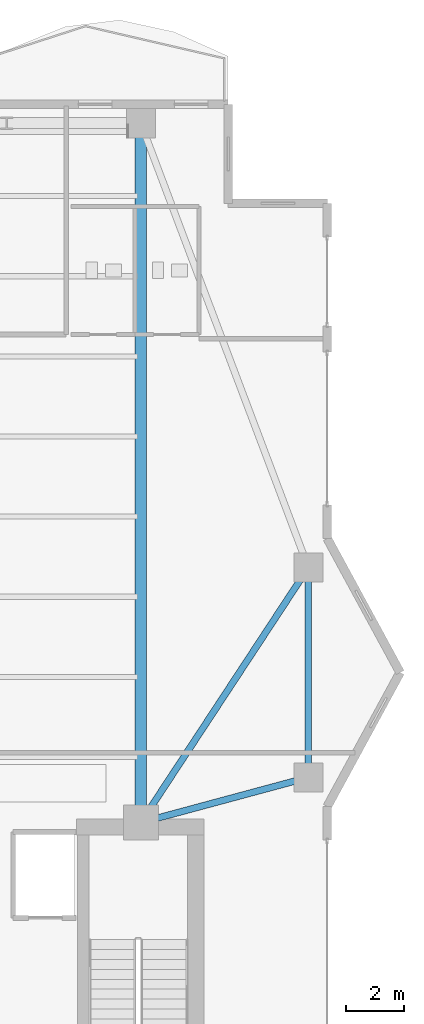
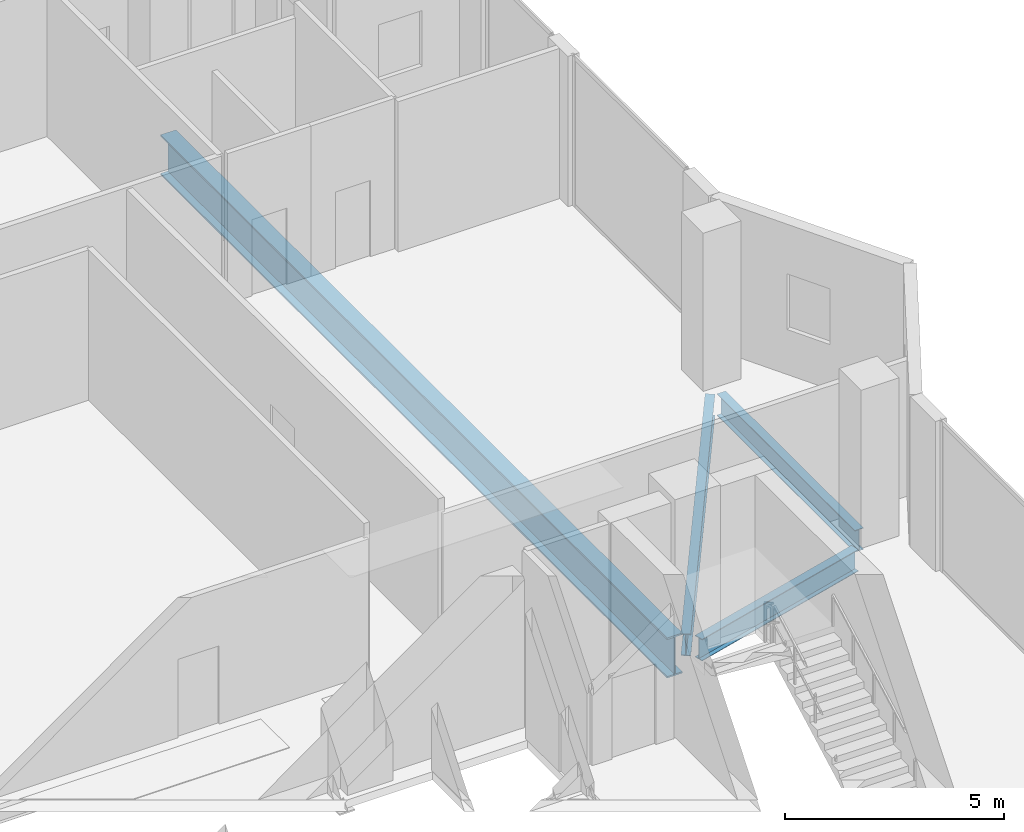
# One storey, part 9 of 24: 4 beams.
"""IFC4 building model written with IfcOpenShell, lengths in metres."""

from ifc_helpers import new_model, si_unit, direction, frame, origin, origin_2d, place, context, subcontext, project, spatial, i_section, extrude, material, material_profile, profile_set, type_object, element, save


model = new_model("IFC4")

# Units and contexts
model_context = context("Model", 3, precision=1e-05, world=origin(), true_north=direction((0.0, 1.0)))
body_context = subcontext(model_context, "Body", "Model", "MODEL_VIEW")
ifc_project = project(units=[si_unit("LENGTHUNIT", "METRE"), si_unit("AREAUNIT", "SQUARE_METRE"), si_unit("VOLUMEUNIT", "CUBIC_METRE"), si_unit("PLANEANGLEUNIT", "RADIAN"), si_unit("MASSUNIT", "GRAM", prefix="KILO")], contexts=[model_context])

# Site, building, storey
site_placement = place(None, origin())
site = spatial("IfcSite", under=ifc_project, at=site_placement, CompositionType="ELEMENT")
building_placement = place(site_placement, origin())
building = spatial("IfcBuilding", under=site, at=building_placement, Name="Zuhayl Quay Hotel", CompositionType="ELEMENT")
storey_placement = place(building_placement, frame((0.0, 0.0, 284.050048828125)))
storey = spatial("IfcBuildingStorey", under=building, at=storey_placement, Name="L72", CompositionType="ELEMENT", Elevation=284.050048828125)

# Beams
ifc_material_1 = material(Name="Steel ASTM A992 Grade 50", Category="steel")
ifc_material_profile_1 = material_profile(ifc_material_1, i_section(OverallWidth=0.22802734375, OverallDepth=0.60693359375, WebThickness=0.01123046875, FlangeThickness=0.017333984375, at=origin_2d()), Name="W24X76")
ifc_profile_set_1 = profile_set([ifc_material_profile_1], Name="Steel ASTM A992 Grade 50")
beam_type_1 = type_object("IfcBeamType", Name="BM_B3_W24X76", PredefinedType="BEAM", material=ifc_profile_set_1)
beam_1_placement = place(storey_placement, frame((19.550048828125, 16.360107421875, -0.5234375), z_axis=(0.0, 1.0, 0.0), x_axis=(-1.0, 0.0, 0.0)))
element("IfcBeam", 1, at=beam_1_placement, inside=storey, type_object=beam_type_1, Name="L72 Floor Beam RG_L72_05", PredefinedType="BEAM", context=body_context, shape_type="SweptSolid", body=[
    extrude(i_section(OverallWidth=0.22802734375, OverallDepth=0.60693359375, WebThickness=0.01123046875, FlangeThickness=0.017333984375, at=origin_2d()), origin(), (0.0, 0.0, 1.0), 6.27978515625),
])
beam_2_placement = place(storey_placement, frame((14.234619140625, 14.467041015625, -0.5234375), z_axis=(0.965530205773, 0.26029103277, 0.0), x_axis=(-0.26029103277, 0.965530205773, 0.0)))
element("IfcBeam", 2, at=beam_2_placement, inside=storey, type_object=beam_type_1, Name="L72 Floor Beam FG_E_L72_1", PredefinedType="BEAM", context=body_context, shape_type="SweptSolid", body=[
    extrude(i_section(OverallWidth=0.22802734375, OverallDepth=0.60693359375, WebThickness=0.01123046875, FlangeThickness=0.017333984375, at=origin_2d()), origin(), (0.0, 0.0, 1.0), 5.045166015625),
])
beam_3_placement = place(storey_placement, frame((14.047119140625, 14.72607421875, -0.5234375), z_axis=(0.549177886661, 0.835705479701, 0.0), x_axis=(-0.835705479701, 0.549177886661, 0.0)))
element("IfcBeam", 3, at=beam_3_placement, inside=storey, type_object=beam_type_1, Name="L72 Floor Beam FG_E_L72_2", PredefinedType="BEAM", context=body_context, shape_type="SweptSolid", body=[
    extrude(i_section(OverallWidth=0.22802734375, OverallDepth=0.60693359375, WebThickness=0.01123046875, FlangeThickness=0.017333984375, at=origin_2d()), origin(), (0.0, 0.0, 1.0), 9.560302734375),
])
ifc_material_2 = material(Name="Steel ASTM A913 Grade 65", Category="steel")
ifc_material_profile_2 = material_profile(ifc_material_2, i_section(OverallWidth=0.404052734375, OverallDepth=1.117919921875, WebThickness=0.026123046875, FlangeThickness=0.044921875, at=origin_2d()), Name="W44X335")
ifc_profile_set_2 = profile_set([ifc_material_profile_2], Name="Steel ASTM A913 Grade 65")
beam_type_2 = type_object("IfcBeamType", Name="BM_TG1_W44X335", PredefinedType="BEAM", material=ifc_profile_set_2)
beam_4_placement = place(storey_placement, frame((13.800048828125, 14.800048828125, -0.779052734375), z_axis=(0.0, 1.0, 0.0), x_axis=(-1.0, 0.0, 0.0)))
element("IfcBeam", 4, at=beam_4_placement, inside=storey, type_object=beam_type_2, Name="L72 Floor Beam FG_N_L72_4", PredefinedType="BEAM", context=body_context, shape_type="SweptSolid", body=[
    extrude(i_section(OverallWidth=0.404052734375, OverallDepth=1.117919921875, WebThickness=0.026123046875, FlangeThickness=0.044921875, at=origin_2d()), origin(), (0.0, 0.0, 1.0), 23.08984375),
])

save(model, "model.ifc")
